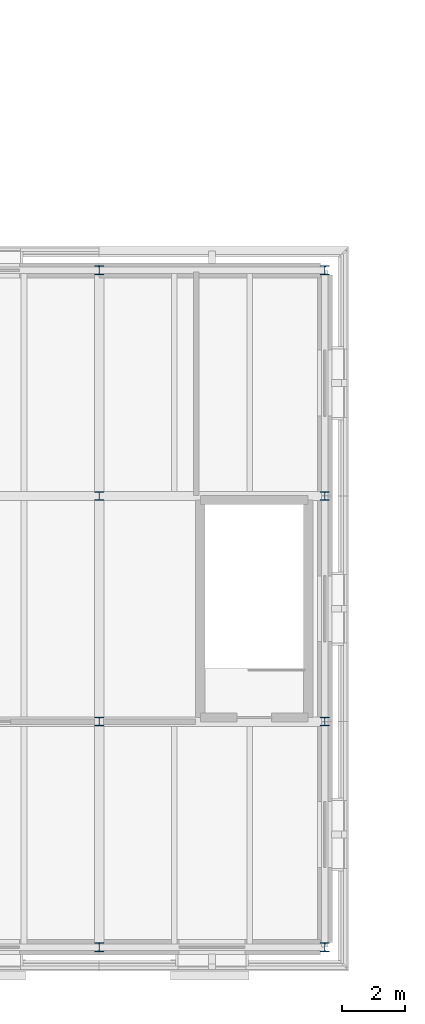
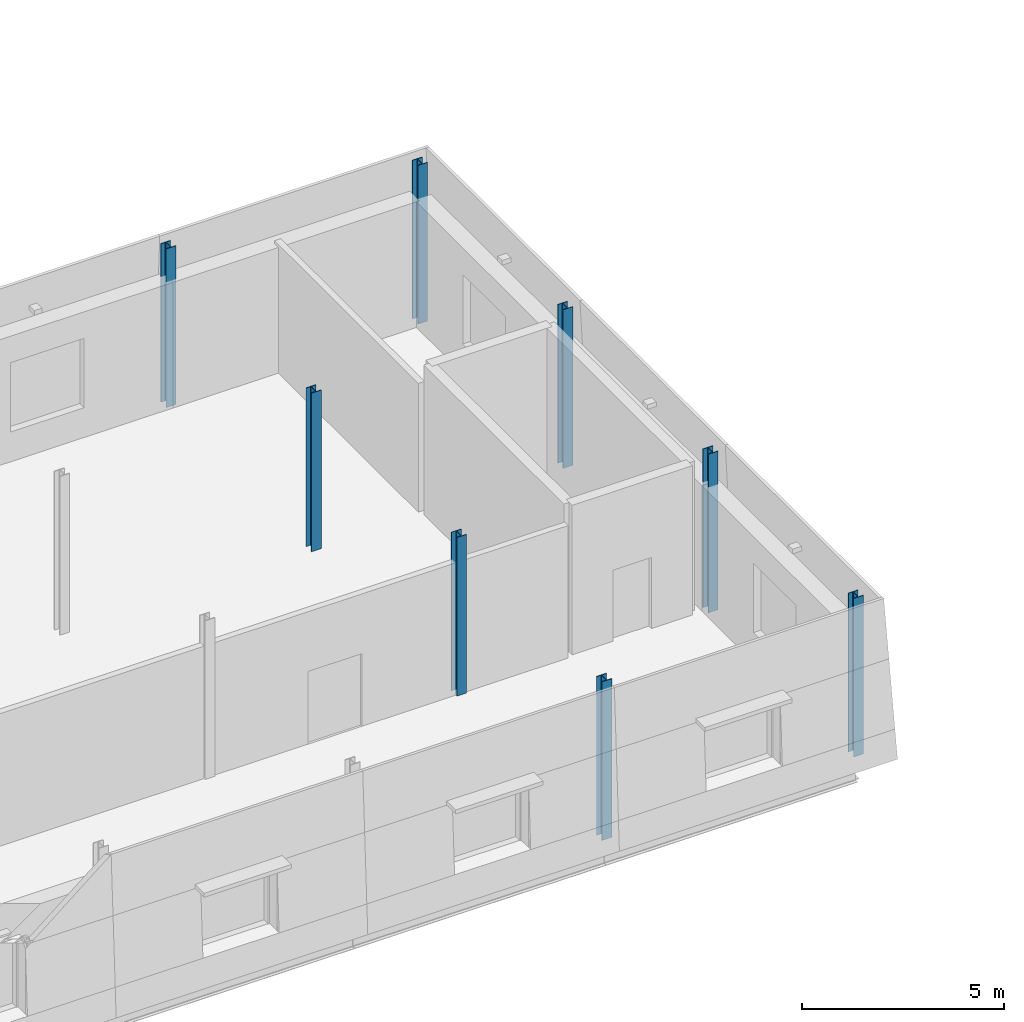
# One storey, part 2 of 121: 8 columns.
"""IFC4 building model written with IfcOpenShell, lengths in metres."""

from ifc_helpers import new_model, si_unit, direction, frame, origin, origin_2d, place, context, subcontext, project, spatial, i_section, extrude, material, material_profile, profile_set, type_object, element, save


model = new_model("IFC4")

# Units and contexts
model_context = context("Model", 3, precision=1e-05, world=origin(), true_north=direction((0.0, 1.0)))
body_context = subcontext(model_context, "Body", "Model", "MODEL_VIEW")
ifc_project = project(units=[si_unit("LENGTHUNIT", "METRE"), si_unit("AREAUNIT", "SQUARE_METRE"), si_unit("VOLUMEUNIT", "CUBIC_METRE"), si_unit("PLANEANGLEUNIT", "RADIAN"), si_unit("MASSUNIT", "GRAM", prefix="KILO")], contexts=[model_context])

# Site, building, storey
site_placement = place(None, origin())
site = spatial("IfcSite", under=ifc_project, at=site_placement, CompositionType="ELEMENT")
building_placement = place(site_placement, origin())
building = spatial("IfcBuilding", under=site, at=building_placement, Name="Narikvali Park Central Library", CompositionType="ELEMENT")
storey_placement = place(building_placement, frame((0.0, 0.0, 5.39990234375)))
storey = spatial("IfcBuildingStorey", under=building, at=storey_placement, Name="L01", CompositionType="ELEMENT", Elevation=5.39990234375)

# Columns
ifc_material = material(Name="Steel S355", Category="steel")
ifc_material_profile = material_profile(ifc_material, i_section(OverallWidth=0.280029296875, OverallDepth=0.280029296875, WebThickness=0.010498046875, FlangeThickness=0.01806640625, FilletRadius=0.02392578125, at=origin_2d()), Name="HEB 280")
ifc_profile_set = profile_set([ifc_material_profile], Name="Steel S355")
column_type = type_object("IfcColumnType", Name="Steel Column HEB280", PredefinedType="COLUMN", material=ifc_profile_set)
for number, where, z_axis, x_axis, name in (
    (1, (36.0, 0.0, 0.0), (0.0, 0.0, 1.0), (1.0, 0.0, 0.0), "V2 L01 Column (36.0,0.0)"),
    (2, (36.0, 7.199951171875, 0.0), (0.0, 0.0, 1.0), (1.0, 0.0, 0.0), "V2 L01 Column (36.0,7.2)"),
    (3, (36.0, 14.39990234375, 0.0), (0.0, 0.0, 1.0), (1.0, 0.0, 0.0), "V2 L01 Column (36.0,14.4)"),
    (4, (36.0, 21.60009765625, 0.0), (0.0, 0.0, 1.0), (1.0, 0.0, 0.0), "V2 L01 Column (36.0,21.6)"),
    (5, (43.199951171875, 0.0, 0.0), (0.0, 0.0, 1.0), (1.0, 0.0, 0.0), "V2 L01 Column (43.2,0.0)"),
    (6, (43.199951171875, 7.199951171875, 0.0), (0.0, 0.0, 1.0), (1.0, 0.0, 0.0), "V2 L01 Column (43.2,7.2)"),
    (7, (43.199951171875, 14.39990234375, 0.0), (0.0, 0.0, 1.0), (1.0, 0.0, 0.0), "V2 L01 Column (43.2,14.4)"),
    (8, (43.199951171875, 21.60009765625, 0.0), (0.0, 0.0, 1.0), (1.0, 0.0, 0.0), "V2 L01 Column (43.2,21.6)"),
):
    element("IfcColumn", number, at=place(storey_placement, frame(where, z_axis=z_axis, x_axis=x_axis)), inside=storey, type_object=column_type, Name=name, PredefinedType="COLUMN", context=body_context, shape_type="SweptSolid", body=[
        extrude(i_section(OverallWidth=0.280029296875, OverallDepth=0.280029296875, WebThickness=0.010498046875, FlangeThickness=0.01806640625, FilletRadius=0.02392578125, at=origin_2d()), origin(), (0.0, 0.0, 1.0), 4.800048828125),
    ])

save(model, "model.ifc")
